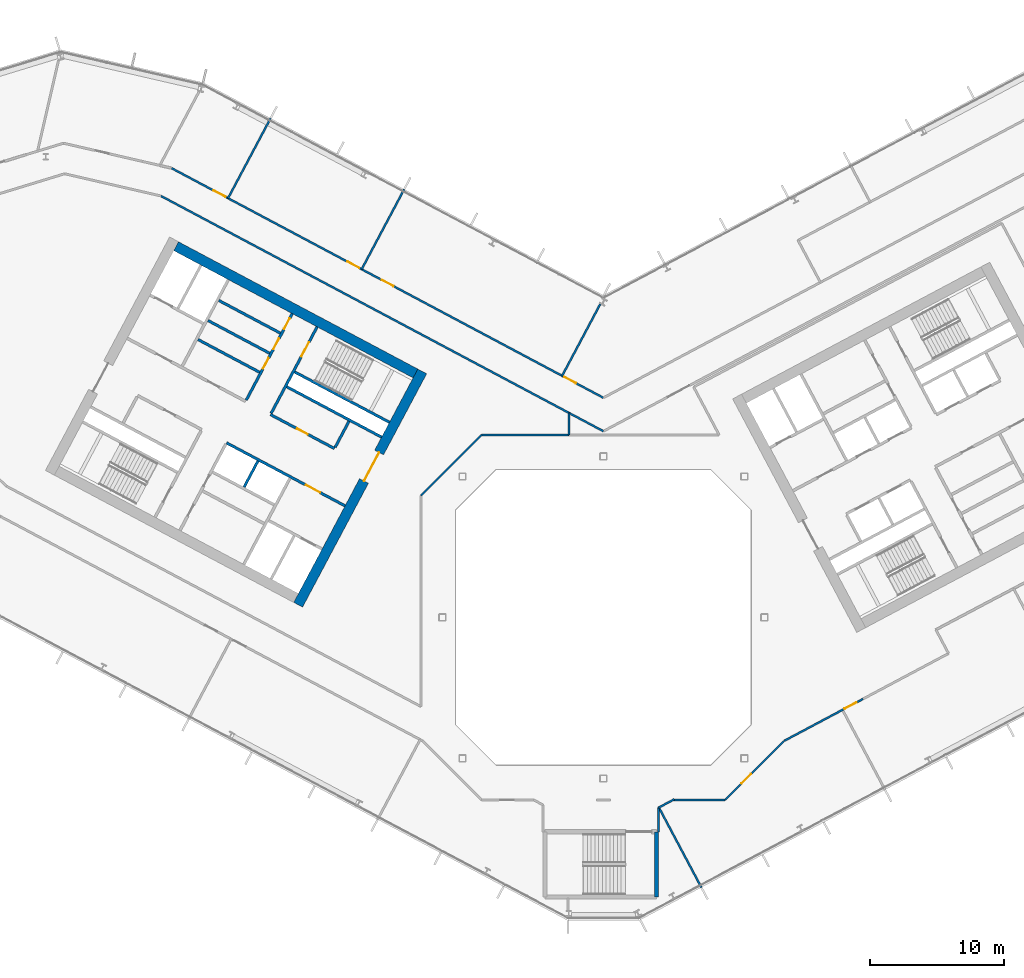
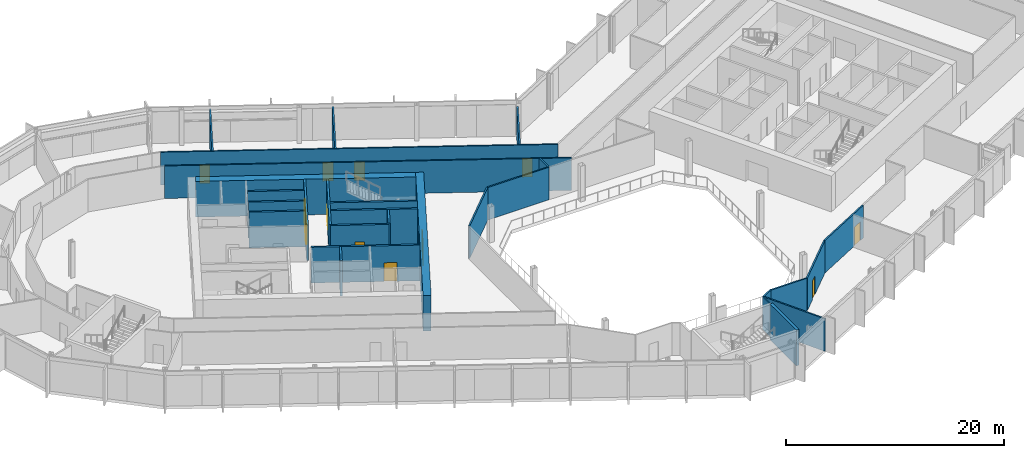
# One storey, part 15 of 28: 29 walls, 13 doors, 13 openings.
"""IFC4 building model written with IfcOpenShell, lengths in metres."""

from ifc_helpers import new_model, si_unit, direction, frame, frame_2d, origin, place, context, subcontext, project, spatial, rectangle, extrude, material, layer, layer_set, type_object, element, fill, save


model = new_model("IFC4")

# Units and contexts
model_context = context("Model", 3, precision=1e-05, world=origin(), true_north=direction((0.0, 1.0)))
body_context = subcontext(model_context, "Body", "Model", "MODEL_VIEW")
ifc_project = project(units=[si_unit("LENGTHUNIT", "METRE"), si_unit("AREAUNIT", "SQUARE_METRE"), si_unit("VOLUMEUNIT", "CUBIC_METRE"), si_unit("PLANEANGLEUNIT", "RADIAN"), si_unit("MASSUNIT", "GRAM", prefix="KILO")], contexts=[model_context])

# Site, building, storey
site_placement = place(None, origin())
site = spatial("IfcSite", under=ifc_project, at=site_placement, CompositionType="ELEMENT")
building_placement = place(site_placement, origin())
building = spatial("IfcBuilding", under=site, at=building_placement, Name="Cormorant Relay Tower", CompositionType="ELEMENT")
storey_placement = place(building_placement, frame((0.0, 0.0, 158.199951171875)))
storey = spatial("IfcBuildingStorey", under=building, at=storey_placement, Name="L33", CompositionType="ELEMENT", Elevation=158.199951171875)

# Walls
ifc_material_1 = material(Name="Concrete 40 MPa", Category="concrete")
ifc_layer_1 = layer(ifc_material_1, 0.199951171875)
ifc_layer_set_1 = layer_set([ifc_layer_1], Name="Core internal wall 200")
wall_type_1 = type_object("IfcWallType", Name="Core internal wall 200", PredefinedType="SOLIDWALL", material=ifc_layer_set_1)
wall_1_placement = place(storey_placement, frame((-25.744140625, 11.64990234375, 0.0), z_axis=(0.0, 0.0, 1.0), x_axis=(-0.469487830541, -0.882938942948, 0.0)))
element("IfcWall", 1, at=wall_1_placement, inside=storey, type_object=wall_type_1, Name="L33 core A shaft and room wall", PredefinedType="SOLIDWALL", context=body_context, shape_type="SweptSolid", body=[
    extrude(rectangle(XDim=2.2001953125, YDim=0.199951171875, at=frame_2d((1.10009765625, 0.0))), origin(), (0.0, 0.0, 1.0), 4.0),
])
for number, where, z_axis, x_axis, name in (
    (2, (-24.073974609375, 21.181396484375, 0.0), (0.0, 0.0, 1.0), (-0.882953967957, 0.469459572775, 0.0), "L33 core A shaft and room wall"),
    (3, (-24.8720703125, 19.680419921875, 0.0), (0.0, 0.0, 1.0), (-0.882953967957, 0.469459572775, 0.0), "L33 core A shaft and room wall"),
):
    element("IfcWall", number, at=place(storey_placement, frame(where, z_axis=z_axis, x_axis=x_axis)), inside=storey, type_object=wall_type_1, Name=name, PredefinedType="SOLIDWALL", context=body_context, shape_type="SweptSolid", body=[
        extrude(rectangle(XDim=5.199951171875, YDim=0.199951171875, at=frame_2d((2.60009765625, 0.0))), origin(), (0.0, 0.0, 1.0), 4.0),
    ])
ifc_material_2 = material(Name="Concrete 50 MPa", Category="concrete")
ifc_layer_2 = layer(ifc_material_2, 0.199951171875)
ifc_layer_set_2 = layer_set([ifc_layer_2], Name="Core shaft wall 200")
wall_type_2 = type_object("IfcWallType", Name="Core shaft wall 200", PredefinedType="SHEAR", material=ifc_layer_set_2)
wall_2_placement = place(storey_placement, frame((-18.959716796875, 14.611328125, 0.0), z_axis=(0.0, 0.0, 1.0), x_axis=(-0.4694473164, -0.882960484464, 0.0)))
element("IfcWall", 4, at=wall_2_placement, inside=storey, type_object=wall_type_2, Name="L33 core A shaft wall", PredefinedType="SHEAR", context=body_context, shape_type="SweptSolid", body=[
    extrude(rectangle(XDim=2.199951171875, YDim=0.199951171875, at=frame_2d((1.10009765625, 0.0))), origin(), (0.0, 0.0, 1.0), 4.0),
])

# Wall, opening, door
wall_3_placement = place(storey_placement, frame((-21.333251953125, 21.6494140625, 0.0), z_axis=(0.0, 0.0, 1.0), x_axis=(-0.469494272526, -0.882935517501, 0.0)))
wall_3 = element("IfcWall", 5, at=wall_3_placement, inside=storey, type_object=wall_type_2, Name="L33 core A shaft wall", PredefinedType="SHEAR", context=body_context, shape_type="SweptSolid", body=[
    extrude(rectangle(XDim=7.2998046875, YDim=0.199951171875, at=frame_2d((3.64990234375, 0.0))), origin(), (0.0, 0.0, 1.0), 4.0),
])
opening_1_placement = place(wall_3_placement, frame((1.300048828125, 0.0, 0.0)))
opening_1 = element("IfcOpeningElement", 6, at=opening_1_placement, cuts=wall_3, Name="Opening CDB-034", PredefinedType="OPENING", context=body_context, shape_type="SweptSolid", body=[
    extrude(rectangle(XDim=1.199951171875, YDim=2.10009765625, at=frame_2d((0.60009765625, 1.050048828125))), frame((0.0, 0.10986328125, 0.0), z_axis=(0.0, -1.0, 0.0), x_axis=(1.0, 0.0, 0.0)), (0.0, 0.0, 1.0), 0.219970703125),
])
ifc_material_3 = material(Name="Steel fire door", Category="steel")
door_type_1 = type_object("IfcDoorType", Name="Core stair door 1200x2100", OperationType="SINGLE_SWING_LEFT", PredefinedType="DOOR", material=ifc_material_3)
door_1_placement = place(opening_1_placement, origin())
door_1 = element("IfcDoor", 7, at=door_1_placement, inside=storey, type_object=door_type_1, Name="Core stair door 1200x2100", OperationType="SINGLE_SWING_RIGHT", OverallHeight=2.10009765625, OverallWidth=1.199951171875, PredefinedType="DOOR", context=body_context, shape_type="SweptSolid", body=[
    extrude(rectangle(XDim=1.199951171875, YDim=2.10009765625, at=frame_2d((0.60009765625, 1.050048828125))), frame((0.0, 0.02490234375, 0.0), z_axis=(0.0, -1.0, 0.0), x_axis=(1.0, 0.0, 0.0)), (0.0, 0.0, 1.0), 0.050048828125),
])
fill(opening_1, door_1)

# Wall, openings, doors
wall_4_placement = place(storey_placement, frame((-23.1875, 22.635498046875, 0.0), z_axis=(0.0, 0.0, 1.0), x_axis=(-0.469454336211, -0.882956752176, 0.0)))
wall_4 = element("IfcWall", 8, at=wall_4_placement, inside=storey, type_object=wall_type_2, Name="L33 core A shaft wall", PredefinedType="SHEAR", context=body_context, shape_type="SweptSolid", body=[
    extrude(rectangle(XDim=7.300048828125, YDim=0.199951171875, at=frame_2d((3.64990234375, 0.0))), origin(), (0.0, 0.0, 1.0), 4.0),
])
opening_2_placement = place(wall_4_placement, frame((0.39990234375, 0.0, 0.0)))
opening_2 = element("IfcOpeningElement", 9, at=opening_2_placement, cuts=wall_4, Name="Opening CDD-174", PredefinedType="OPENING", context=body_context, shape_type="SweptSolid", body=[
    extrude(rectangle(XDim=0.89990234375, YDim=2.10009765625, at=frame_2d((0.449951171875, 1.050048828125))), frame((0.0, 0.10986328125, 0.0), z_axis=(0.0, -1.0, 0.0), x_axis=(1.0, 0.0, 0.0)), (0.0, 0.0, 1.0), 0.219970703125),
])
opening_3_placement = place(wall_4_placement, frame((2.10009765625, 0.0, 0.0)))
opening_3 = element("IfcOpeningElement", 10, at=opening_3_placement, cuts=wall_4, Name="Opening CDD-175", PredefinedType="OPENING", context=body_context, shape_type="SweptSolid", body=[
    extrude(rectangle(XDim=0.89990234375, YDim=2.10009765625, at=frame_2d((0.449951171875, 1.050048828125))), frame((0.0, 0.10986328125, 0.0), z_axis=(0.0, -1.0, 0.0), x_axis=(1.0, 0.0, 0.0)), (0.0, 0.0, 1.0), 0.219970703125),
])
opening_4_placement = place(wall_4_placement, frame((3.75, 0.0, 0.0)))
opening_4 = element("IfcOpeningElement", 11, at=opening_4_placement, cuts=wall_4, Name="Opening CDD-176", PredefinedType="OPENING", context=body_context, shape_type="SweptSolid", body=[
    extrude(rectangle(XDim=0.89990234375, YDim=2.10009765625, at=frame_2d((0.449951171875, 1.050048828125))), frame((0.0, 0.10986328125, 0.0), z_axis=(0.0, -1.0, 0.0), x_axis=(1.0, 0.0, 0.0)), (0.0, 0.0, 1.0), 0.219970703125),
])
ifc_material_4 = material(Name="Steel fire door", Category="steel")
door_type_2 = type_object("IfcDoorType", Name="Core room door 900x2100", OperationType="SINGLE_SWING_LEFT", PredefinedType="DOOR", material=ifc_material_4)
door_2_placement = place(opening_2_placement, origin())
door_2 = element("IfcDoor", 12, at=door_2_placement, inside=storey, type_object=door_type_2, Name="Core room door 900x2100", OperationType="SINGLE_SWING_LEFT", OverallHeight=2.10009765625, OverallWidth=0.89990234375, PredefinedType="DOOR", context=body_context, shape_type="SweptSolid", body=[
    extrude(rectangle(XDim=0.89990234375, YDim=2.10009765625, at=frame_2d((0.449951171875, 1.050048828125))), frame((0.0, 0.02490234375, 0.0), z_axis=(0.0, -1.0, 0.0), x_axis=(1.0, 0.0, 0.0)), (0.0, 0.0, 1.0), 0.050048828125),
])
fill(opening_2, door_2)
door_3_placement = place(opening_3_placement, origin())
door_3 = element("IfcDoor", 13, at=door_3_placement, inside=storey, type_object=door_type_2, Name="Core room door 900x2100", OperationType="SINGLE_SWING_LEFT", OverallHeight=2.10009765625, OverallWidth=0.89990234375, PredefinedType="DOOR", context=body_context, shape_type="SweptSolid", body=[
    extrude(rectangle(XDim=0.89990234375, YDim=2.10009765625, at=frame_2d((0.449951171875, 1.050048828125))), frame((0.0, 0.02490234375, 0.0), z_axis=(0.0, -1.0, 0.0), x_axis=(1.0, 0.0, 0.0)), (0.0, 0.0, 1.0), 0.050048828125),
])
fill(opening_3, door_3)
door_4_placement = place(opening_4_placement, origin())
door_4 = element("IfcDoor", 14, at=door_4_placement, inside=storey, type_object=door_type_2, Name="Core room door 900x2100", OperationType="SINGLE_SWING_LEFT", OverallHeight=2.10009765625, OverallWidth=0.89990234375, PredefinedType="DOOR", context=body_context, shape_type="SweptSolid", body=[
    extrude(rectangle(XDim=0.89990234375, YDim=2.10009765625, at=frame_2d((0.449951171875, 1.050048828125))), frame((0.0, 0.02490234375, 0.0), z_axis=(0.0, -1.0, 0.0), x_axis=(1.0, 0.0, 0.0)), (0.0, 0.0, 1.0), 0.050048828125),
])
fill(opening_4, door_4)

# Walls
wall_5_placement = place(storey_placement, frame((-15.94189453125, 14.53564453125, 0.0), z_axis=(0.0, 0.0, 1.0), x_axis=(-0.882946947542, 0.469472776449, 0.0)))
element("IfcWall", 15, at=wall_5_placement, inside=storey, type_object=wall_type_2, Name="L33 core A shaft wall", PredefinedType="SHEAR", context=body_context, shape_type="SweptSolid", body=[
    extrude(rectangle(XDim=8.000244140625, YDim=0.199951171875, at=frame_2d((4.0, 0.0))), origin(), (0.0, 0.0, 1.0), 4.0),
])
wall_6_placement = place(storey_placement, frame((-16.52880859375, 13.43212890625, 0.0), z_axis=(0.0, 0.0, 1.0), x_axis=(-0.88295287151, 0.469461634952, 0.0)))
element("IfcWall", 16, at=wall_6_placement, inside=storey, type_object=wall_type_2, Name="L33 core A shaft wall", PredefinedType="SHEAR", context=body_context, shape_type="SweptSolid", body=[
    extrude(rectangle(XDim=7.999755859375, YDim=0.199951171875, at=frame_2d((4.0, 0.0))), origin(), (0.0, 0.0, 1.0), 4.0),
])
wall_7_placement = place(storey_placement, frame((-25.623046875, 18.267578125, 0.0), z_axis=(0.0, 0.0, 1.0), x_axis=(-0.882953967957, 0.469459572775, 0.0)))
element("IfcWall", 17, at=wall_7_placement, inside=storey, type_object=wall_type_2, Name="L33 core A shaft wall", PredefinedType="SHEAR", context=body_context, shape_type="SweptSolid", body=[
    extrude(rectangle(XDim=5.199951171875, YDim=0.199951171875, at=frame_2d((2.60009765625, 0.0))), origin(), (0.0, 0.0, 1.0), 4.0),
])

# Wall, opening, door
wall_8_placement = place(storey_placement, frame((-20.03955078125, 12.58056640625, 0.0), z_axis=(0.0, 0.0, 1.0), x_axis=(-0.882942972946, 0.469480251476, 0.0)))
wall_8 = element("IfcWall", 18, at=wall_8_placement, inside=storey, type_object=wall_type_2, Name="L33 core A shaft wall", PredefinedType="SHEAR", context=body_context, shape_type="SweptSolid", body=[
    extrude(rectangle(XDim=5.39990234375, YDim=0.199951171875, at=frame_2d((2.699951171875, 0.0))), origin(), (0.0, 0.0, 1.0), 4.0),
])
opening_5_placement = place(wall_8_placement, frame((2.25, 0.0, 0.0)))
opening_5 = element("IfcOpeningElement", 19, at=opening_5_placement, cuts=wall_8, Name="Opening CDD-206", PredefinedType="OPENING", context=body_context, shape_type="SweptSolid", body=[
    extrude(rectangle(XDim=0.89990234375, YDim=2.10009765625, at=frame_2d((0.449951171875, 1.050048828125))), frame((0.0, 0.10986328125, 0.0), z_axis=(0.0, -1.0, 0.0), x_axis=(1.0, 0.0, 0.0)), (0.0, 0.0, 1.0), 0.219970703125),
])
door_5_placement = place(opening_5_placement, origin())
door_5 = element("IfcDoor", 20, at=door_5_placement, inside=storey, type_object=door_type_2, Name="Core room door 900x2100", OperationType="SINGLE_SWING_LEFT", OverallHeight=2.10009765625, OverallWidth=0.89990234375, PredefinedType="DOOR", context=body_context, shape_type="SweptSolid", body=[
    extrude(rectangle(XDim=0.89990234375, YDim=2.10009765625, at=frame_2d((0.449951171875, 1.050048828125))), frame((0.0, 0.02490234375, 0.0), z_axis=(0.0, -1.0, 0.0), x_axis=(1.0, 0.0, 0.0)), (0.0, 0.0, 1.0), 0.050048828125),
])
fill(opening_5, door_5)

wall_9_placement = place(storey_placement, frame((-19.251708984375, 8.31103515625, 0.0), z_axis=(0.0, 0.0, 1.0), x_axis=(-0.882955722218, 0.469456273365, 0.0)))
wall_9 = element("IfcWall", 21, at=wall_9_placement, inside=storey, type_object=wall_type_2, Name="L33 core A shaft wall", PredefinedType="SHEAR", context=body_context, shape_type="SweptSolid", body=[
    extrude(rectangle(XDim=10.0, YDim=0.199951171875, at=frame_2d((5.0, 0.0))), origin(), (0.0, 0.0, 1.0), 4.0),
])
opening_6_placement = place(wall_9_placement, frame((2.10009765625, 0.0, 0.0)))
opening_6 = element("IfcOpeningElement", 22, at=opening_6_placement, cuts=wall_9, Name="Opening CDC-025", PredefinedType="OPENING", context=body_context, shape_type="SweptSolid", body=[
    extrude(rectangle(XDim=1.199951171875, YDim=2.10009765625, at=frame_2d((0.60009765625, 1.050048828125))), frame((0.0, 0.10986328125, 0.0), z_axis=(0.0, -1.0, 0.0), x_axis=(1.0, 0.0, 0.0)), (0.0, 0.0, 1.0), 0.219970703125),
])
ifc_material_5 = material(Name="Steel fire door", Category="steel")
door_type_3 = type_object("IfcDoorType", Name="Core lobby door 1200x2100", OperationType="SINGLE_SWING_LEFT", PredefinedType="DOOR", material=ifc_material_5)
door_6_placement = place(opening_6_placement, origin())
door_6 = element("IfcDoor", 23, at=door_6_placement, inside=storey, type_object=door_type_3, Name="Core lobby door 1200x2100", OperationType="SINGLE_SWING_RIGHT", OverallHeight=2.10009765625, OverallWidth=1.199951171875, PredefinedType="DOOR", context=body_context, shape_type="SweptSolid", body=[
    extrude(rectangle(XDim=1.199951171875, YDim=2.10009765625, at=frame_2d((0.60009765625, 1.050048828125))), frame((0.0, 0.02490234375, 0.0), z_axis=(0.0, -1.0, 0.0), x_axis=(1.0, 0.0, 0.0)), (0.0, 0.0, 1.0), 0.050048828125),
])
fill(opening_6, door_6)

ifc_material_6 = material(Name="Concrete 60 MPa", Category="concrete")
ifc_layer_3 = layer(ifc_material_6, 0.75)
ifc_layer_set_3 = layer_set([ifc_layer_3], Name="Core wall 750")
wall_type_3 = type_object("IfcWallType", Name="Core wall 750", PredefinedType="SHEAR", material=ifc_layer_set_3)
wall_10_placement = place(storey_placement, frame((-13.498291015625, 18.3330078125, 0.0), z_axis=(0.0, 0.0, 1.0), x_axis=(-0.469469918705, -0.88294846703, 0.0)))
wall_10 = element("IfcWall", 24, at=wall_10_placement, inside=storey, type_object=wall_type_3, Name="L33 core A wall", PredefinedType="SHEAR", context=body_context, shape_type="SweptSolid", body=[
    extrude(rectangle(XDim=19.699951171875, YDim=0.75, at=frame_2d((9.85009765625, 0.0))), origin(), (0.0, 0.0, 1.0), 4.0),
])
opening_7_placement = place(wall_10_placement, frame((6.85009765625, 0.0, 0.0)))
opening_7 = element("IfcOpeningElement", 25, at=opening_7_placement, cuts=wall_10, Name="Opening CDA-026", PredefinedType="OPENING", context=body_context, shape_type="SweptSolid", body=[
    extrude(rectangle(XDim=2.39990234375, YDim=2.39990234375, at=frame_2d((1.199951171875, 1.199951171875))), frame((0.0, 0.385009765625, 0.0), z_axis=(0.0, -1.0, 0.0), x_axis=(1.0, 0.0, 0.0)), (0.0, 0.0, 1.0), 0.77001953125),
])
ifc_material_7 = material(Name="Steel fire door", Category="steel")
door_type_4 = type_object("IfcDoorType", Name="Core lobby door 2400x2400", OperationType="DOUBLE_DOOR_SINGLE_SWING", PredefinedType="DOOR", material=ifc_material_7)
door_7_placement = place(opening_7_placement, origin())
door_7 = element("IfcDoor", 26, at=door_7_placement, inside=storey, type_object=door_type_4, Name="Core lobby door 2400x2400", OperationType="DOUBLE_DOOR_SINGLE_SWING", OverallHeight=2.39990234375, OverallWidth=2.39990234375, PredefinedType="DOOR", context=body_context, shape_type="SweptSolid", body=[
    extrude(rectangle(XDim=2.39990234375, YDim=2.39990234375, at=frame_2d((1.199951171875, 1.199951171875))), frame((0.0, 0.02490234375, 0.0), z_axis=(0.0, -1.0, 0.0), x_axis=(1.0, 0.0, 0.0)), (0.0, 0.0, 1.0), 0.050048828125),
])
fill(opening_7, door_7)

# Walls
wall_11_placement = place(storey_placement, frame((-14.00537109375, 18.177978515625, 0.0), z_axis=(0.0, 0.0, 1.0), x_axis=(-0.88295010195, 0.469466843842, 0.0)))
element("IfcWall", 27, at=wall_11_placement, inside=storey, type_object=wall_type_3, Name="L33 core A wall", PredefinedType="SHEAR", context=body_context, shape_type="SweptSolid", body=[
    extrude(rectangle(XDim=20.199951171875, YDim=0.75, at=frame_2d((10.10009765625, 0.0))), origin(), (0.0, 0.0, 1.0), 4.0),
])
ifc_material_8 = material(Name="Gypsum board fire partition")
ifc_layer_4 = layer(ifc_material_8, 0.14990234375)
ifc_layer_set_4 = layer_set([ifc_layer_4], Name="Corridor partition 150 EI 60")
wall_type_4 = type_object("IfcWallType", Name="Corridor partition 150 EI 60", PredefinedType="PARTITIONING", material=ifc_layer_set_4)
wall_12_placement = place(storey_placement, frame((-32.964111328125, 31.402099609375, 0.0), z_axis=(0.0, 0.0, 1.0), x_axis=(0.88293807027, -0.469489471733, 0.0)))
element("IfcWall", 28, at=wall_12_placement, inside=storey, type_object=wall_type_4, Name="wall/L33/part/023", PredefinedType="PARTITIONING", context=body_context, shape_type="SweptSolid", body=[
    extrude(rectangle(XDim=34.4248046875, YDim=0.14990234375, at=frame_2d((17.21240234375, 0.0))), origin(), (0.0, 0.0, 1.0), 3.64013671875),
])
wall_13_placement = place(storey_placement, frame((-2.570068359375, 13.60009765625, 0.0), z_axis=(0.0, 0.0, 1.0), x_axis=(-1.0, 0.0, 0.0)))
element("IfcWall", 29, at=wall_13_placement, inside=storey, type_object=wall_type_4, Name="wall/L33/part/026", PredefinedType="PARTITIONING", context=body_context, shape_type="SweptSolid", body=[
    extrude(rectangle(XDim=6.5068359375, YDim=0.14990234375, at=frame_2d((3.25341796875, 0.0))), origin(), (0.0, 0.0, 1.0), 3.64013671875),
])
wall_14_placement = place(storey_placement, frame((-9.076904296875, 13.60009765625, 0.0), z_axis=(0.0, 0.0, 1.0), x_axis=(-0.707106781187, -0.707106781187, 0.0)))
element("IfcWall", 30, at=wall_14_placement, inside=storey, type_object=wall_type_4, Name="wall/L33/part/027", PredefinedType="PARTITIONING", context=body_context, shape_type="SweptSolid", body=[
    extrude(rectangle(XDim=6.396728515625, YDim=0.14990234375, at=frame_2d((3.1982421875, 0.0))), origin(), (0.0, 0.0, 1.0), 3.64013671875),
])

# Wall, openings, doors
wall_15_placement = place(storey_placement, frame((-32.18701171875, 33.47998046875, 0.0), z_axis=(0.0, 0.0, 1.0), x_axis=(0.88294900327, -0.469468910179, 0.0)))
wall_15 = element("IfcWall", 31, at=wall_15_placement, inside=storey, type_object=wall_type_4, Name="wall/L33/part/039", PredefinedType="PARTITIONING", context=body_context, shape_type="SweptSolid", body=[
    extrude(rectangle(XDim=36.4541015625, YDim=0.14990234375, at=frame_2d((18.22705078125, 0.0))), origin(), (0.0, 0.0, 1.0), 3.64013671875),
])
opening_8_placement = place(wall_15_placement, frame((33.14990234375, 0.0, 0.0)))
opening_8 = element("IfcOpeningElement", 32, at=opening_8_placement, cuts=wall_15, Name="Opening DS-050", PredefinedType="OPENING", context=body_context, shape_type="SweptSolid", body=[
    extrude(rectangle(XDim=1.0, YDim=2.10009765625, at=frame_2d((0.5, 1.050048828125))), frame((0.0, 0.0849609375, 0.0), z_axis=(0.0, -1.0, 0.0), x_axis=(1.0, 0.0, 0.0)), (0.0, 0.0, 1.0), 0.169921875),
])
opening_9_placement = place(wall_15_placement, frame((17.75, 0.0, 0.0)))
opening_9 = element("IfcOpeningElement", 33, at=opening_9_placement, cuts=wall_15, Name="Opening DS-051", PredefinedType="OPENING", context=body_context, shape_type="SweptSolid", body=[
    extrude(rectangle(XDim=1.0, YDim=2.10009765625, at=frame_2d((0.5, 1.050048828125))), frame((0.0, 0.0849609375, 0.0), z_axis=(0.0, -1.0, 0.0), x_axis=(1.0, 0.0, 0.0)), (0.0, 0.0, 1.0), 0.169921875),
])
opening_10_placement = place(wall_15_placement, frame((14.85009765625, 0.0, 0.0)))
opening_10 = element("IfcOpeningElement", 34, at=opening_10_placement, cuts=wall_15, Name="Opening DS-052", PredefinedType="OPENING", context=body_context, shape_type="SweptSolid", body=[
    extrude(rectangle(XDim=1.0, YDim=2.10009765625, at=frame_2d((0.5, 1.050048828125))), frame((0.0, 0.0849609375, 0.0), z_axis=(0.0, -1.0, 0.0), x_axis=(1.0, 0.0, 0.0)), (0.0, 0.0, 1.0), 0.169921875),
])
opening_11_placement = place(wall_15_placement, frame((3.550048828125, 0.0, 0.0)))
opening_11 = element("IfcOpeningElement", 35, at=opening_11_placement, cuts=wall_15, Name="Opening DS-053", PredefinedType="OPENING", context=body_context, shape_type="SweptSolid", body=[
    extrude(rectangle(XDim=1.0, YDim=2.10009765625, at=frame_2d((0.5, 1.050048828125))), frame((0.0, 0.0849609375, 0.0), z_axis=(0.0, -1.0, 0.0), x_axis=(1.0, 0.0, 0.0)), (0.0, 0.0, 1.0), 0.169921875),
])
ifc_material_9 = material(Name="Timber door leaf", Category="wood")
door_type_5 = type_object("IfcDoorType", Name="Suite door 1000x2100", OperationType="SINGLE_SWING_LEFT", PredefinedType="DOOR", material=ifc_material_9)
door_8_placement = place(opening_8_placement, origin())
door_8 = element("IfcDoor", 36, at=door_8_placement, inside=storey, type_object=door_type_5, Name="door/L33/008", OperationType="SINGLE_SWING_LEFT", OverallHeight=2.10009765625, OverallWidth=1.0, PredefinedType="DOOR", context=body_context, shape_type="SweptSolid", body=[
    extrude(rectangle(XDim=1.0, YDim=2.10009765625, at=frame_2d((0.5, 1.050048828125))), frame((0.0, 0.02490234375, 0.0), z_axis=(0.0, -1.0, 0.0), x_axis=(1.0, 0.0, 0.0)), (0.0, 0.0, 1.0), 0.050048828125),
])
fill(opening_8, door_8)
door_9_placement = place(opening_9_placement, origin())
door_9 = element("IfcDoor", 37, at=door_9_placement, inside=storey, type_object=door_type_5, Name="door/L33/009", OperationType="SINGLE_SWING_RIGHT", OverallHeight=2.10009765625, OverallWidth=1.0, PredefinedType="DOOR", context=body_context, shape_type="SweptSolid", body=[
    extrude(rectangle(XDim=1.0, YDim=2.10009765625, at=frame_2d((0.5, 1.050048828125))), frame((0.0, 0.02490234375, 0.0), z_axis=(0.0, -1.0, 0.0), x_axis=(1.0, 0.0, 0.0)), (0.0, 0.0, 1.0), 0.050048828125),
])
fill(opening_9, door_9)
door_10_placement = place(opening_10_placement, origin())
door_10 = element("IfcDoor", 38, at=door_10_placement, inside=storey, type_object=door_type_5, Name="door/L33/010", OperationType="SINGLE_SWING_RIGHT", OverallHeight=2.10009765625, OverallWidth=1.0, PredefinedType="DOOR", context=body_context, shape_type="SweptSolid", body=[
    extrude(rectangle(XDim=1.0, YDim=2.10009765625, at=frame_2d((0.5, 1.050048828125))), frame((0.0, 0.02490234375, 0.0), z_axis=(0.0, -1.0, 0.0), x_axis=(1.0, 0.0, 0.0)), (0.0, 0.0, 1.0), 0.050048828125),
])
fill(opening_10, door_10)
door_11_placement = place(opening_11_placement, origin())
door_11 = element("IfcDoor", 39, at=door_11_placement, inside=storey, type_object=door_type_5, Name="door/L33/011", OperationType="SINGLE_SWING_RIGHT", OverallHeight=2.10009765625, OverallWidth=1.0, PredefinedType="DOOR", context=body_context, shape_type="SweptSolid", body=[
    extrude(rectangle(XDim=1.0, YDim=2.10009765625, at=frame_2d((0.5, 1.050048828125))), frame((0.0, 0.02490234375, 0.0), z_axis=(0.0, -1.0, 0.0), x_axis=(1.0, 0.0, 0.0)), (0.0, 0.0, 1.0), 0.050048828125),
])
fill(opening_11, door_11)

# Walls
wall_16_placement = place(storey_placement, frame((-2.569091796875, 15.239990234375, 0.0), z_axis=(0.0, 0.0, 1.0), x_axis=(0.882953795959, -0.469459896265, 0.0)))
element("IfcWall", 40, at=wall_16_placement, inside=storey, type_object=wall_type_4, Name="wall/L33/part/050", PredefinedType="PARTITIONING", context=body_context, shape_type="SweptSolid", body=[
    extrude(rectangle(XDim=2.90966796875, YDim=0.14990234375, at=frame_2d((1.454833984375, 0.0))), origin(), (0.0, 0.0, 1.0), 3.64013671875),
])
wall_17_placement = place(storey_placement, frame((5.283935546875, -13.555908203125, 0.0), z_axis=(0.0, 0.0, 1.0), x_axis=(-0.882740669896, -0.469860521551, 0.0)))
element("IfcWall", 41, at=wall_17_placement, inside=storey, type_object=wall_type_4, Name="wall/L33/part/059", PredefinedType="PARTITIONING", context=body_context, shape_type="SweptSolid", body=[
    extrude(rectangle(XDim=1.341064453125, YDim=0.14990234375, at=frame_2d((0.67041015625, 0.0))), origin(), (0.0, 0.0, 1.0), 3.64013671875),
])
wall_18_placement = place(storey_placement, frame((4.10009765625, -14.18603515625, 0.0), z_axis=(0.0, 0.0, 1.0), x_axis=(0.0, -1.0, 0.0)))
element("IfcWall", 42, at=wall_18_placement, inside=storey, type_object=wall_type_4, Name="wall/L33/part/060", PredefinedType="PARTITIONING", context=body_context, shape_type="SweptSolid", body=[
    extrude(rectangle(XDim=1.7890625, YDim=0.14990234375, at=frame_2d((0.89453125, 0.0))), origin(), (0.0, 0.0, 1.0), 3.64013671875),
])

# Wall, opening, door
wall_19_placement = place(storey_placement, frame((13.46142578125, -9.215576171875, 0.0), z_axis=(0.0, 0.0, 1.0), x_axis=(-0.707106781187, -0.707106781187, 0.0)))
wall_19 = element("IfcWall", 43, at=wall_19_placement, inside=storey, type_object=wall_type_4, Name="wall/L33/part/061", PredefinedType="PARTITIONING", context=body_context, shape_type="SweptSolid", body=[
    extrude(rectangle(XDim=6.20068359375, YDim=0.14990234375, at=frame_2d((3.100341796875, 0.0))), origin(), (0.0, 0.0, 1.0), 3.64013671875),
])
opening_12_placement = place(wall_19_placement, frame((3.496826171875, 0.0, 0.0)))
opening_12 = element("IfcOpeningElement", 44, at=opening_12_placement, cuts=wall_19, Name="Opening DS-045", PredefinedType="OPENING", context=body_context, shape_type="SweptSolid", body=[
    extrude(rectangle(XDim=1.0, YDim=2.10009765625, at=frame_2d((0.5, 1.050048828125))), frame((0.0, 0.0849609375, 0.0), z_axis=(0.0, -1.0, 0.0), x_axis=(1.0, 0.0, 0.0)), (0.0, 0.0, 1.0), 0.169921875),
])
door_12_placement = place(opening_12_placement, origin())
door_12 = element("IfcDoor", 45, at=door_12_placement, inside=storey, type_object=door_type_5, Name="door/L33/003", OperationType="SINGLE_SWING_LEFT", OverallHeight=2.10009765625, OverallWidth=1.0, PredefinedType="DOOR", context=body_context, shape_type="SweptSolid", body=[
    extrude(rectangle(XDim=1.0, YDim=2.10009765625, at=frame_2d((0.5, 1.050048828125))), frame((0.0, 0.02490234375, 0.0), z_axis=(0.0, -1.0, 0.0), x_axis=(1.0, 0.0, 0.0)), (0.0, 0.0, 1.0), 0.050048828125),
])
fill(opening_12, door_12)

# Wall
wall_20_placement = place(storey_placement, frame((9.076904296875, -13.60009765625, 0.0), z_axis=(0.0, 0.0, 1.0), x_axis=(-1.0, 0.0, 0.0)))
element("IfcWall", 46, at=wall_20_placement, inside=storey, type_object=wall_type_4, Name="wall/L33/part/062", PredefinedType="PARTITIONING", context=body_context, shape_type="SweptSolid", body=[
    extrude(rectangle(XDim=3.8369140625, YDim=0.14990234375, at=frame_2d((1.91845703125, 0.0))), origin(), (0.0, 0.0, 1.0), 3.64013671875),
])

# Wall, opening, door
wall_21_placement = place(storey_placement, frame((19.343994140625, -6.080078125, 0.0), z_axis=(0.0, 0.0, 1.0), x_axis=(-0.882924889458, -0.469514259181, 0.0)))
wall_21 = element("IfcWall", 47, at=wall_21_placement, inside=storey, type_object=wall_type_4, Name="wall/L33/part/065", PredefinedType="PARTITIONING", context=body_context, shape_type="SweptSolid", body=[
    extrude(rectangle(XDim=6.644775390625, YDim=0.14990234375, at=frame_2d((3.322265625, 0.0))), origin(), (0.0, 0.0, 1.0), 3.64013671875),
])
opening_13_placement = place(wall_21_placement, frame((0.550048828125, 0.0, 0.0)))
opening_13 = element("IfcOpeningElement", 48, at=opening_13_placement, cuts=wall_21, Name="Opening DS-046", PredefinedType="OPENING", context=body_context, shape_type="SweptSolid", body=[
    extrude(rectangle(XDim=1.0, YDim=2.10009765625, at=frame_2d((0.5, 1.050048828125))), frame((0.0, 0.0849609375, 0.0), z_axis=(0.0, -1.0, 0.0), x_axis=(1.0, 0.0, 0.0)), (0.0, 0.0, 1.0), 0.169921875),
])
door_13_placement = place(opening_13_placement, origin())
door_13 = element("IfcDoor", 49, at=door_13_placement, inside=storey, type_object=door_type_5, Name="door/L33/004", OperationType="SINGLE_SWING_RIGHT", OverallHeight=2.10009765625, OverallWidth=1.0, PredefinedType="DOOR", context=body_context, shape_type="SweptSolid", body=[
    extrude(rectangle(XDim=1.0, YDim=2.10009765625, at=frame_2d((0.5, 1.050048828125))), frame((0.0, 0.02490234375, 0.0), z_axis=(0.0, -1.0, 0.0), x_axis=(1.0, 0.0, 0.0)), (0.0, 0.0, 1.0), 0.050048828125),
])
fill(opening_13, door_13)

# Walls
ifc_material_10 = material(Name="Concrete 50 MPa", Category="concrete")
ifc_layer_5 = layer(ifc_material_10, 0.300048828125)
ifc_layer_set_5 = layer_set([ifc_layer_5], Name="Remote stair wall 300")
wall_type_5 = type_object("IfcWallType", Name="Remote stair wall 300", PredefinedType="SHEAR", material=ifc_layer_set_5)
wall_22_placement = place(storey_placement, frame((3.949951171875, -15.97509765625, 0.0), z_axis=(0.0, 0.0, 1.0), x_axis=(0.0, -1.0, 0.0)))
element("IfcWall", 50, at=wall_22_placement, inside=storey, type_object=wall_type_5, Name="L33 exit stair RK1 wall", PredefinedType="SHEAR", context=body_context, shape_type="SweptSolid", body=[
    extrude(rectangle(XDim=4.849853515625, YDim=0.300048828125, at=frame_2d((2.4248046875, 0.0))), origin(), (0.0, 0.0, 1.0), 4.0),
])
ifc_material_11 = material(Name="Gypsum board partition")
ifc_layer_6 = layer(ifc_material_11, 0.14990234375)
ifc_layer_set_6 = layer_set([ifc_layer_6], Name="Tenant partition 150")
wall_type_6 = type_object("IfcWallType", Name="Tenant partition 150", PredefinedType="PARTITIONING", material=ifc_layer_set_6)
wall_23_placement = place(storey_placement, frame((-24.800048828125, 37.197021484375, 0.0), z_axis=(0.0, 0.0, 1.0), x_axis=(-0.469581783496, -0.882888978643, 0.0)))
element("IfcWall", 51, at=wall_23_placement, inside=storey, type_object=wall_type_6, Name="wall/L33/part/041", PredefinedType="PARTITIONING", context=body_context, shape_type="SweptSolid", body=[
    extrude(rectangle(XDim=6.75048828125, YDim=0.14990234375, at=frame_2d((3.375244140625, 0.0))), origin(), (0.0, 0.0, 1.0), 3.64013671875),
])
wall_24_placement = place(storey_placement, frame((-14.843994140625, 31.903076171875, 0.0), z_axis=(0.0, 0.0, 1.0), x_axis=(-0.469356207225, -0.883008918833, 0.0)))
element("IfcWall", 52, at=wall_24_placement, inside=storey, type_object=wall_type_6, Name="wall/L33/part/043", PredefinedType="PARTITIONING", context=body_context, shape_type="SweptSolid", body=[
    extrude(rectangle(XDim=6.74951171875, YDim=0.14990234375, at=frame_2d((3.374755859375, 0.0))), origin(), (0.0, 0.0, 1.0), 3.64013671875),
])
wall_25_placement = place(storey_placement, frame((-0.22412109375, 23.364013671875, 0.0), z_axis=(0.0, 0.0, 1.0), x_axis=(-0.46937563441, -0.882998592197, 0.0)))
element("IfcWall", 53, at=wall_25_placement, inside=storey, type_object=wall_type_6, Name="wall/L33/part/044", PredefinedType="PARTITIONING", context=body_context, shape_type="SweptSolid", body=[
    extrude(rectangle(XDim=6.07373046875, YDim=0.14990234375, at=frame_2d((3.036865234375, 0.0))), origin(), (0.0, 0.0, 1.0), 3.64013671875),
])
wall_26_placement = place(storey_placement, frame((-2.569091796875, 15.239990234375, 0.0), z_axis=(0.0, 0.0, 1.0), x_axis=(-0.00059550384, -0.999999822688, 0.0)))
element("IfcWall", 54, at=wall_26_placement, inside=storey, type_object=wall_type_6, Name="wall/L33/part/058", PredefinedType="PARTITIONING", context=body_context, shape_type="SweptSolid", body=[
    extrude(rectangle(XDim=1.639892578125, YDim=0.14990234375, at=frame_2d((0.81982421875, 0.0))), origin(), (0.0, 0.0, 1.0), 3.64013671875),
])
wall_27_placement = place(storey_placement, frame((7.303955078125, -20.126953125, 0.0), z_axis=(0.0, 0.0, 1.0), x_axis=(-0.469356207225, 0.883008918833, 0.0)))
element("IfcWall", 55, at=wall_27_placement, inside=storey, type_object=wall_type_6, Name="wall/L33/part/063", PredefinedType="PARTITIONING", context=body_context, shape_type="SweptSolid", body=[
    extrude(rectangle(XDim=6.74951171875, YDim=0.14990234375, at=frame_2d((3.374755859375, 0.0))), origin(), (0.0, 0.0, 1.0), 3.64013671875),
])

save(model, "model.ifc")
